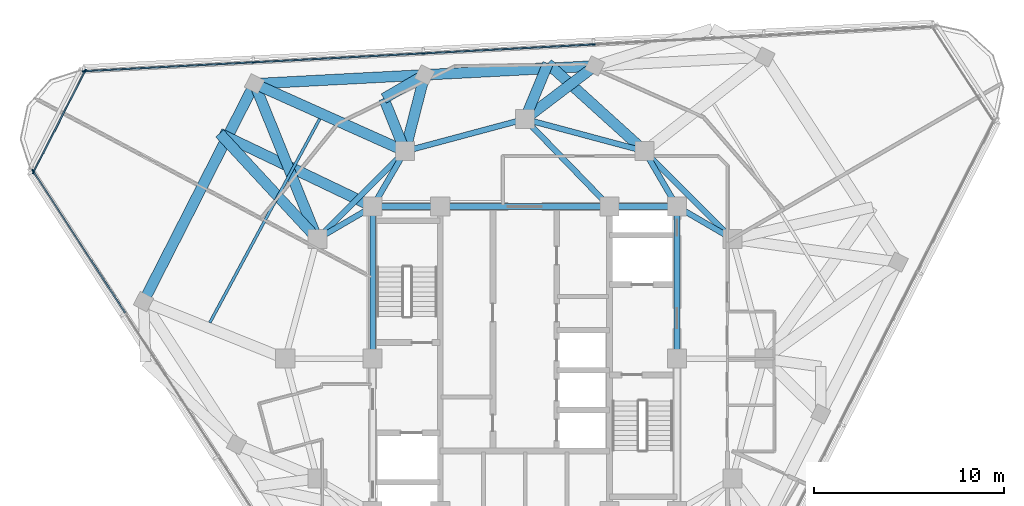
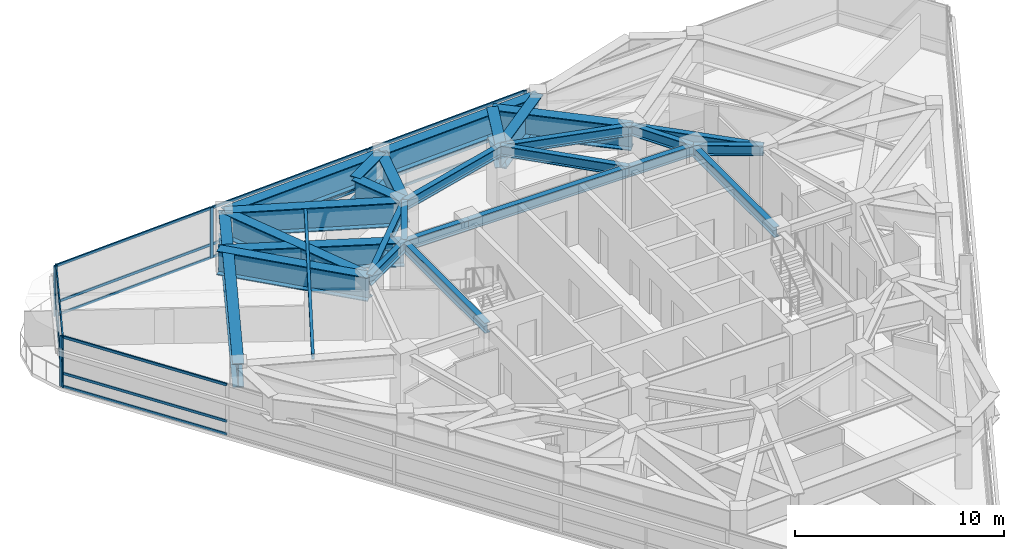
# One storey, part 5 of 15: 28 beams, 22 members, 3 elements without a shape of their own.
"""IFC4 building model written with IfcOpenShell, lengths in metres."""

from ifc_helpers import new_model, si_unit, direction, frame, origin, origin_2d, place, context, subcontext, project, spatial, rectangle, i_section, extrude, material, layer, layer_set, material_profile, profile_set, type_object, element, aggregate, save


model = new_model("IFC4")

# Units and contexts
model_context = context("Model", 3, precision=1e-05, world=origin(), true_north=direction((0.0, 1.0)))
body_context = subcontext(model_context, "Body", "Model", "MODEL_VIEW")
ifc_project = project(units=[si_unit("LENGTHUNIT", "METRE"), si_unit("AREAUNIT", "SQUARE_METRE"), si_unit("VOLUMEUNIT", "CUBIC_METRE"), si_unit("PLANEANGLEUNIT", "RADIAN"), si_unit("MASSUNIT", "GRAM", prefix="KILO")], contexts=[model_context])

# Site, building, storey
site_placement = place(None, origin())
site = spatial("IfcSite", under=ifc_project, at=site_placement, CompositionType="ELEMENT")
building_placement = place(site_placement, origin())
building = spatial("IfcBuilding", under=site, at=building_placement, Name="Terralouvre Media Tower", CompositionType="ELEMENT")
storey_placement = place(building_placement, frame((0.0, 0.0, 274.39990234375)))
storey = spatial("IfcBuildingStorey", under=building, at=storey_placement, Name="L71", CompositionType="ELEMENT", Elevation=274.39990234375)

# Beam
ifc_material_1 = material(Name="Structural steel S355J2", Category="steel")
ifc_material_profile_1 = material_profile(ifc_material_1, i_section(OverallWidth=0.14990234375, OverallDepth=0.300048828125, WebThickness=0.007080078125, FlangeThickness=0.0107421875, at=origin_2d()), Name="IPE 300")
ifc_profile_set_1 = profile_set([ifc_material_profile_1], Name="Structural steel S355J2")
beam_type_1 = type_object("IfcBeamType", Name="Composite Floor Joist J-IPE300 (IPE 300)", PredefinedType="JOIST", material=ifc_profile_set_1)
beam_1_placement = place(storey_placement, frame((-10.7861328125, 12.6171875, 3.31005859375), z_axis=(-0.474624538104, -0.88018835929, 0.0), x_axis=(0.88018835929, -0.474624538104, 0.0)))
element("IfcBeam", 1, at=beam_1_placement, inside=storey, type_object=beam_type_1, Name="L71 Framing Beam JT-L71-05", PredefinedType="JOIST", context=body_context, shape_type="SweptSolid", body=[
    extrude(i_section(OverallWidth=0.14990234375, OverallDepth=0.300048828125, WebThickness=0.007080078125, FlangeThickness=0.0107421875, at=origin_2d()), origin(), (0.0, 0.0, 1.0), 12.1787109375),
])

# Curtain wall, members
ifc_material_2 = material(Name="Low-iron laminated double glazing with solar-control coating", Category="glass")
ifc_layer_1 = layer(ifc_material_2, 0.1650390625, Name="Upper Executive Tower Curtain Wall CW-05")
ifc_layer_set_1 = layer_set([ifc_layer_1], Name="Low-iron laminated double glazing with solar-control coating")
curtain_wall_type_1 = type_object("IfcCurtainWallType", Name="Upper Executive Tower Curtain Wall CW-05", PredefinedType="NOTDEFINED", material=ifc_layer_set_1)
curtain_wall_1_placement = place(storey_placement, origin())
curtain_wall_1 = element("IfcCurtainWall", 2, at=curtain_wall_1_placement, inside=storey, type_object=curtain_wall_type_1, Name="L71 Facade Curtain Wall F1", PredefinedType="NOTDEFINED")
ifc_material_3 = material(Name="Anodised extruded aluminium 6063-T6", Category="aluminium")
ifc_material_profile_2 = material_profile(ifc_material_3, rectangle(XDim=0.074951171875, YDim=0.14990234375, at=origin_2d()), Name="ALU 75x150")
ifc_profile_set_2 = profile_set([ifc_material_profile_2], Name="Anodised extruded aluminium 6063-T6")
member_type_1 = type_object("IfcMemberType", Name="Curtain-Wall Horizontal Transom TR-150", PredefinedType="USERDEFINED", material=ifc_profile_set_2)
member_1_placement = place(storey_placement, frame((3.582763671875, 16.522705078125, 0.03759765625), z_axis=(-0.998630476572, -0.052317982208, 0.0), x_axis=(0.052317982208, -0.998630476572, 0.0)))
member_1 = element("IfcMember", 3, at=member_1_placement, type_object=member_type_1, Name="CW-05 transom 3.1", ObjectType="TRANSOM", PredefinedType="USERDEFINED", context=body_context, shape_type="SweptSolid", body=[
    extrude(rectangle(XDim=0.074951171875, YDim=0.14990234375, at=origin_2d()), origin(), (0.0, 0.0, 1.0), 8.885009765625),
])
member_2_placement = place(storey_placement, frame((3.582763671875, 16.522705078125, 0.800048828125), z_axis=(-0.998630476572, -0.052317982208, 0.0), x_axis=(0.052317982208, -0.998630476572, 0.0)))
member_2 = element("IfcMember", 4, at=member_2_placement, type_object=member_type_1, Name="CW-05 transom 3.2", ObjectType="TRANSOM", PredefinedType="USERDEFINED", context=body_context, shape_type="SweptSolid", body=[
    extrude(rectangle(XDim=0.074951171875, YDim=0.14990234375, at=origin_2d()), origin(), (0.0, 0.0, 1.0), 8.885009765625),
])
member_3_placement = place(storey_placement, frame((3.582763671875, 16.522705078125, 2.922607421875), z_axis=(-0.998630476572, -0.052317982208, 0.0), x_axis=(0.052317982208, -0.998630476572, 0.0)))
member_3 = element("IfcMember", 5, at=member_3_placement, type_object=member_type_1, Name="CW-05 transom 3.3", ObjectType="TRANSOM", PredefinedType="USERDEFINED", context=body_context, shape_type="SweptSolid", body=[
    extrude(rectangle(XDim=0.074951171875, YDim=0.14990234375, at=origin_2d()), origin(), (0.0, 0.0, 1.0), 8.885009765625),
])
member_4_placement = place(storey_placement, frame((-5.364990234375, 16.053955078125, 0.03759765625), z_axis=(-0.998629040577, -0.052345384869, 0.0), x_axis=(0.052345384869, -0.998629040577, 0.0)))
member_4 = element("IfcMember", 6, at=member_4_placement, type_object=member_type_1, Name="CW-05 transom 4.1", ObjectType="TRANSOM", PredefinedType="USERDEFINED", context=body_context, shape_type="SweptSolid", body=[
    extrude(rectangle(XDim=0.074951171875, YDim=0.14990234375, at=origin_2d()), origin(), (0.0, 0.0, 1.0), 8.885009765625),
])
member_5_placement = place(storey_placement, frame((-5.364990234375, 16.053955078125, 0.800048828125), z_axis=(-0.998629040577, -0.052345384869, 0.0), x_axis=(0.052345384869, -0.998629040577, 0.0)))
member_5 = element("IfcMember", 7, at=member_5_placement, type_object=member_type_1, Name="CW-05 transom 4.2", ObjectType="TRANSOM", PredefinedType="USERDEFINED", context=body_context, shape_type="SweptSolid", body=[
    extrude(rectangle(XDim=0.074951171875, YDim=0.14990234375, at=origin_2d()), origin(), (0.0, 0.0, 1.0), 8.885009765625),
])
member_6_placement = place(storey_placement, frame((-5.364990234375, 16.053955078125, 2.922607421875), z_axis=(-0.998629040577, -0.052345384869, 0.0), x_axis=(0.052345384869, -0.998629040577, 0.0)))
member_6 = element("IfcMember", 8, at=member_6_placement, type_object=member_type_1, Name="CW-05 transom 4.3", ObjectType="TRANSOM", PredefinedType="USERDEFINED", context=body_context, shape_type="SweptSolid", body=[
    extrude(rectangle(XDim=0.074951171875, YDim=0.14990234375, at=origin_2d()), origin(), (0.0, 0.0, 1.0), 8.885009765625),
])
member_7_placement = place(storey_placement, frame((-14.312744140625, 15.5849609375, 0.03759765625), z_axis=(-0.99862901196, -0.052345930801, 0.0), x_axis=(0.052345930801, -0.99862901196, 0.0)))
member_7 = element("IfcMember", 9, at=member_7_placement, type_object=member_type_1, Name="CW-05 transom 5.1", ObjectType="TRANSOM", PredefinedType="USERDEFINED", context=body_context, shape_type="SweptSolid", body=[
    extrude(rectangle(XDim=0.074951171875, YDim=0.14990234375, at=origin_2d()), origin(), (0.0, 0.0, 1.0), 8.84765625),
])
member_8_placement = place(storey_placement, frame((-14.312744140625, 15.5849609375, 0.800048828125), z_axis=(-0.99862901196, -0.052345930801, 0.0), x_axis=(0.052345930801, -0.99862901196, 0.0)))
member_8 = element("IfcMember", 10, at=member_8_placement, type_object=member_type_1, Name="CW-05 transom 5.2", ObjectType="TRANSOM", PredefinedType="USERDEFINED", context=body_context, shape_type="SweptSolid", body=[
    extrude(rectangle(XDim=0.074951171875, YDim=0.14990234375, at=origin_2d()), origin(), (0.0, 0.0, 1.0), 8.84765625),
])
member_9_placement = place(storey_placement, frame((-14.312744140625, 15.5849609375, 2.922607421875), z_axis=(-0.99862901196, -0.052345930801, 0.0), x_axis=(0.052345930801, -0.99862901196, 0.0)))
member_9 = element("IfcMember", 11, at=member_9_placement, type_object=member_type_1, Name="CW-05 transom 5.3", ObjectType="TRANSOM", PredefinedType="USERDEFINED", context=body_context, shape_type="SweptSolid", body=[
    extrude(rectangle(XDim=0.074951171875, YDim=0.14990234375, at=origin_2d()), origin(), (0.0, 0.0, 1.0), 8.84765625),
])

curtain_wall_2_placement = place(storey_placement, origin())
curtain_wall_2 = element("IfcCurtainWall", 12, at=curtain_wall_2_placement, inside=storey, type_object=curtain_wall_type_1, Name="L71 Facade Curtain Wall F2", PredefinedType="NOTDEFINED")
member_10_placement = place(storey_placement, frame((-25.840087890625, 9.8388671875, 0.03759765625), z_axis=(0.5446498072, -0.838663572308, 0.0), x_axis=(0.838663572308, 0.5446498072, 0.0)))
member_10 = element("IfcMember", 13, at=member_10_placement, type_object=member_type_1, Name="CW-05 transom 1.1", ObjectType="TRANSOM", PredefinedType="USERDEFINED", context=body_context, shape_type="SweptSolid", body=[
    extrude(rectangle(XDim=0.074951171875, YDim=0.14990234375, at=origin_2d()), origin(), (0.0, 0.0, 1.0), 8.84765625),
])
member_11_placement = place(storey_placement, frame((-25.840087890625, 9.8388671875, 0.800048828125), z_axis=(0.5446498072, -0.838663572308, 0.0), x_axis=(0.838663572308, 0.5446498072, 0.0)))
member_11 = element("IfcMember", 14, at=member_11_placement, type_object=member_type_1, Name="CW-05 transom 1.2", ObjectType="TRANSOM", PredefinedType="USERDEFINED", context=body_context, shape_type="SweptSolid", body=[
    extrude(rectangle(XDim=0.074951171875, YDim=0.14990234375, at=origin_2d()), origin(), (0.0, 0.0, 1.0), 8.84765625),
])
member_12_placement = place(storey_placement, frame((-25.840087890625, 9.8388671875, 2.922607421875), z_axis=(0.5446498072, -0.838663572308, 0.0), x_axis=(0.838663572308, 0.5446498072, 0.0)))
member_12 = element("IfcMember", 15, at=member_12_placement, type_object=member_type_1, Name="CW-05 transom 1.3", ObjectType="TRANSOM", PredefinedType="USERDEFINED", context=body_context, shape_type="SweptSolid", body=[
    extrude(rectangle(XDim=0.074951171875, YDim=0.14990234375, at=origin_2d()), origin(), (0.0, 0.0, 1.0), 8.84765625),
])

ifc_material_4 = material(Name="Low-iron laminated double glazing with solar-control coating", Category="glass")
ifc_layer_2 = layer(ifc_material_4, 0.1650390625, Name="Rounded Wind-Corner Curved Glazing CW-04")
ifc_layer_set_2 = layer_set([ifc_layer_2], Name="Low-iron laminated double glazing with solar-control coating")
curtain_wall_type_2 = type_object("IfcCurtainWallType", Name="Rounded Wind-Corner Curved Glazing CW-04", PredefinedType="NOTDEFINED", material=ifc_layer_set_2)
curtain_wall_3_placement = place(storey_placement, origin())
curtain_wall_3 = element("IfcCurtainWall", 16, at=curtain_wall_3_placement, inside=storey, type_object=curtain_wall_type_2, Name="L71 Rounded Wind-Corner Curtain Wall C2", PredefinedType="NOTDEFINED")
member_13_placement = place(storey_placement, frame((-23.138671875, 15.107421875, 0.03759765625), z_axis=(-0.453989495794, -0.891007035724, 0.0), x_axis=(0.891007035724, -0.453989495794, 0.0)))
member_13 = element("IfcMember", 17, at=member_13_placement, type_object=member_type_1, Name="CW-04 transom 1.1", ObjectType="TRANSOM", PredefinedType="USERDEFINED", context=body_context, shape_type="SweptSolid", body=[
    extrude(rectangle(XDim=0.074951171875, YDim=0.14990234375, at=origin_2d()), origin(), (0.0, 0.0, 1.0), 5.912109375),
])
member_14_placement = place(storey_placement, frame((-23.138671875, 15.107421875, 0.800048828125), z_axis=(-0.453989495794, -0.891007035724, 0.0), x_axis=(0.891007035724, -0.453989495794, 0.0)))
member_14 = element("IfcMember", 18, at=member_14_placement, type_object=member_type_1, Name="CW-04 transom 1.2", ObjectType="TRANSOM", PredefinedType="USERDEFINED", context=body_context, shape_type="SweptSolid", body=[
    extrude(rectangle(XDim=0.074951171875, YDim=0.14990234375, at=origin_2d()), origin(), (0.0, 0.0, 1.0), 5.912109375),
])
member_15_placement = place(storey_placement, frame((-23.138671875, 15.107421875, 2.922607421875), z_axis=(-0.453989495794, -0.891007035724, 0.0), x_axis=(0.891007035724, -0.453989495794, 0.0)))
member_15 = element("IfcMember", 19, at=member_15_placement, type_object=member_type_1, Name="CW-04 transom 1.3", ObjectType="TRANSOM", PredefinedType="USERDEFINED", context=body_context, shape_type="SweptSolid", body=[
    extrude(rectangle(XDim=0.074951171875, YDim=0.14990234375, at=origin_2d()), origin(), (0.0, 0.0, 1.0), 5.912109375),
])

# Member
ifc_material_5 = material(Name="Anodised extruded aluminium 6063-T6", Category="aluminium")
ifc_material_profile_3 = material_profile(ifc_material_5, rectangle(XDim=0.074951171875, YDim=0.179931640625, at=origin_2d()), Name="ALU 75x180")
ifc_profile_set_3 = profile_set([ifc_material_profile_3], Name="Anodised extruded aluminium 6063-T6")
member_type_2 = type_object("IfcMemberType", Name="Curtain-Wall Vertical Mullion ML-180", PredefinedType="MULLION", material=ifc_profile_set_3)
member_16_placement = place(storey_placement, frame((3.6201171875, 16.524658203125, 0.0), z_axis=(0.0, 0.0, 1.0), x_axis=(0.052336163844, -0.998629523875, 0.0)))
member_16 = element("IfcMember", 20, at=member_16_placement, type_object=member_type_2, Name="CW-05 mullion 3", PredefinedType="MULLION", context=body_context, shape_type="SweptSolid", body=[
    extrude(rectangle(XDim=0.074951171875, YDim=0.179931640625, at=origin_2d()), origin(), (0.0, 0.0, 1.0), 2.960205078125),
])

member_17_placement = place(storey_placement, frame((-5.32763671875, 16.055908203125, 0.0), z_axis=(0.0, 0.0, 1.0), x_axis=(0.052336163844, -0.998629523875, 0.0)))
member_17 = element("IfcMember", 21, at=member_17_placement, type_object=member_type_2, Name="CW-05 mullion 4", PredefinedType="MULLION", context=body_context, shape_type="SweptSolid", body=[
    extrude(rectangle(XDim=0.074951171875, YDim=0.179931640625, at=origin_2d()), origin(), (0.0, 0.0, 1.0), 2.960205078125),
])

member_18_placement = place(storey_placement, frame((-14.275390625, 15.5869140625, 0.0), z_axis=(0.0, 0.0, 1.0), x_axis=(0.052336163844, -0.998629523875, 0.0)))
member_18 = element("IfcMember", 22, at=member_18_placement, type_object=member_type_2, Name="CW-05 mullion 5", PredefinedType="MULLION", context=body_context, shape_type="SweptSolid", body=[
    extrude(rectangle(XDim=0.074951171875, YDim=0.179931640625, at=origin_2d()), origin(), (0.0, 0.0, 1.0), 2.960205078125),
])

member_19_placement = place(storey_placement, frame((-23.185546875, 15.119873046875, 0.0), z_axis=(0.0, 0.0, 1.0), x_axis=(0.052336163844, -0.998629523875, 0.0)))
member_19 = element("IfcMember", 23, at=member_19_placement, type_object=member_type_2, Name="CW-05 mullion 6", PredefinedType="MULLION", context=body_context, shape_type="SweptSolid", body=[
    extrude(rectangle(XDim=0.074951171875, YDim=0.179931640625, at=origin_2d()), origin(), (0.0, 0.0, 1.0), 2.960205078125),
])

aggregate(curtain_wall_1, [member_16, member_17, member_18, member_19, member_1, member_2, member_3, member_4, member_5, member_6, member_7, member_8, member_9])

member_20_placement = place(storey_placement, frame((-25.8603515625, 9.870361328125, 0.0), z_axis=(0.0, 0.0, 1.0), x_axis=(0.838670545826, 0.544639069077, 0.0)))
member_20 = element("IfcMember", 24, at=member_20_placement, type_object=member_type_2, Name="CW-05 mullion 1", PredefinedType="MULLION", context=body_context, shape_type="SweptSolid", body=[
    extrude(rectangle(XDim=0.074951171875, YDim=0.179931640625, at=origin_2d()), origin(), (0.0, 0.0, 1.0), 2.960205078125),
])

aggregate(curtain_wall_2, [member_20, member_10, member_11, member_12])

member_21_placement = place(storey_placement, frame((-23.12158203125, 15.140869140625, 0.0), z_axis=(0.0, 0.0, 1.0), x_axis=(0.891006600517, -0.453990349937, 0.0)))
member_21 = element("IfcMember", 25, at=member_21_placement, type_object=member_type_2, Name="CW-04 mullion 1", PredefinedType="MULLION", context=body_context, shape_type="SweptSolid", body=[
    extrude(rectangle(XDim=0.074951171875, YDim=0.179931640625, at=origin_2d()), origin(), (0.0, 0.0, 1.0), 2.960205078125),
])

member_22_placement = place(storey_placement, frame((-25.83984375, 9.80615234375, 0.0), z_axis=(0.0, 0.0, 1.0), x_axis=(0.891006600517, -0.453990349937, 0.0)))
member_22 = element("IfcMember", 26, at=member_22_placement, type_object=member_type_2, Name="CW-04 mullion 2", PredefinedType="MULLION", context=body_context, shape_type="SweptSolid", body=[
    extrude(rectangle(XDim=0.074951171875, YDim=0.179931640625, at=origin_2d()), origin(), (0.0, 0.0, 1.0), 2.960205078125),
])

aggregate(curtain_wall_3, [member_21, member_22, member_13, member_14, member_15])

# Beams
ifc_material_6 = material(Name="Structural steel S460M", Category="steel")
ifc_material_profile_4 = material_profile(ifc_material_6, i_section(OverallWidth=0.300048828125, OverallDepth=0.60009765625, WebThickness=0.015380859375, FlangeThickness=0.030029296875, at=origin_2d()), Name="HEB 600")
ifc_profile_set_4 = profile_set([ifc_material_profile_4], Name="Structural steel S460M")
beam_type_2 = type_object("IfcBeamType", Name="Primary Floor Girder B-HEB600 (HEB 600)", PredefinedType="BEAM", material=ifc_profile_set_4)
beam_2_placement = place(storey_placement, frame((8.0, 0.0, 3.16015625), z_axis=(0.0, 1.0, 0.0), x_axis=(-1.0, 0.0, 0.0)))
element("IfcBeam", 27, at=beam_2_placement, inside=storey, type_object=beam_type_2, Name="L71 Framing Beam BM-L71-CPR05", PredefinedType="BEAM", context=body_context, shape_type="SweptSolid", body=[
    extrude(i_section(OverallWidth=0.300048828125, OverallDepth=0.60009765625, WebThickness=0.015380859375, FlangeThickness=0.030029296875, at=origin_2d()), origin(), (0.0, 0.0, 1.0), 8.0),
])
beam_3_placement = place(storey_placement, frame((8.0, 8.0, 3.16015625), z_axis=(-1.0, 0.0, 0.0), x_axis=(0.0, -1.0, 0.0)))
element("IfcBeam", 28, at=beam_3_placement, inside=storey, type_object=beam_type_2, Name="L71 Framing Beam BM-L71-CPR06", PredefinedType="BEAM", context=body_context, shape_type="SweptSolid", body=[
    extrude(i_section(OverallWidth=0.300048828125, OverallDepth=0.60009765625, WebThickness=0.015380859375, FlangeThickness=0.030029296875, at=origin_2d()), origin(), (0.0, 0.0, 1.0), 3.550048828125),
])
beam_4_placement = place(storey_placement, frame((4.449951171875, 8.0, 3.16015625), z_axis=(-1.0, 0.0, 0.0), x_axis=(0.0, -1.0, 0.0)))
element("IfcBeam", 29, at=beam_4_placement, inside=storey, type_object=beam_type_2, Name="L71 Framing Beam BM-L71-CPR07", PredefinedType="BEAM", context=body_context, shape_type="SweptSolid", body=[
    extrude(i_section(OverallWidth=0.300048828125, OverallDepth=0.60009765625, WebThickness=0.015380859375, FlangeThickness=0.030029296875, at=origin_2d()), origin(), (0.0, 0.0, 1.0), 8.89990234375),
])
beam_5_placement = place(storey_placement, frame((-4.449951171875, 8.0, 3.16015625), z_axis=(-1.0, 0.0, 0.0), x_axis=(0.0, -1.0, 0.0)))
element("IfcBeam", 30, at=beam_5_placement, inside=storey, type_object=beam_type_2, Name="L71 Framing Beam BM-L71-CPR08", PredefinedType="BEAM", context=body_context, shape_type="SweptSolid", body=[
    extrude(i_section(OverallWidth=0.300048828125, OverallDepth=0.60009765625, WebThickness=0.015380859375, FlangeThickness=0.030029296875, at=origin_2d()), origin(), (0.0, 0.0, 1.0), 3.550048828125),
])
beam_6_placement = place(storey_placement, frame((-8.0, 8.0, 3.16015625), z_axis=(0.0, -1.0, 0.0), x_axis=(1.0, 0.0, 0.0)))
element("IfcBeam", 31, at=beam_6_placement, inside=storey, type_object=beam_type_2, Name="L71 Framing Beam BM-L71-CPR09", PredefinedType="BEAM", context=body_context, shape_type="SweptSolid", body=[
    extrude(i_section(OverallWidth=0.300048828125, OverallDepth=0.60009765625, WebThickness=0.015380859375, FlangeThickness=0.030029296875, at=origin_2d()), origin(), (0.0, 0.0, 1.0), 8.0),
])
beam_7_placement = place(storey_placement, frame((10.911865234375, 6.300048828125, 3.16015625), z_axis=(-0.707106781187, 0.707106781187, 0.0), x_axis=(-0.707106781187, -0.707106781187, 0.0)))
element("IfcBeam", 32, at=beam_7_placement, inside=storey, type_object=beam_type_2, Name="L71 Framing Beam BM-L71-MR07", PredefinedType="BEAM", context=body_context, shape_type="SweptSolid", body=[
    extrude(i_section(OverallWidth=0.300048828125, OverallDepth=0.60009765625, WebThickness=0.015380859375, FlangeThickness=0.030029296875, at=origin_2d()), origin(), (0.0, 0.0, 1.0), 6.52197265625),
])
for number, where, z_axis, x_axis, name in (
    (33, (6.300048828125, 10.911865234375, 3.16015625), (-0.965920481897, 0.258838989821, 0.0), (-0.258838989821, -0.965920481897, 0.0), "L71 Framing Beam BM-L71-MR08"),
    (34, (0.0, 12.60009765625, 3.16015625), (-0.965920481897, -0.258838989821, 0.0), (0.258838989821, -0.965920481897, 0.0), "L71 Framing Beam BM-L71-MR09"),
):
    element("IfcBeam", number, at=place(storey_placement, frame(where, z_axis=z_axis, x_axis=x_axis)), inside=storey, type_object=beam_type_2, Name=name, PredefinedType="BEAM", context=body_context, shape_type="SweptSolid", body=[
        extrude(i_section(OverallWidth=0.300048828125, OverallDepth=0.60009765625, WebThickness=0.015380859375, FlangeThickness=0.030029296875, at=origin_2d()), origin(), (0.0, 0.0, 1.0), 6.522216796875),
    ])
beam_8_placement = place(storey_placement, frame((-6.300048828125, 10.911865234375, 3.16015625), z_axis=(-0.707106781187, -0.707106781187, 0.0), x_axis=(0.707106781187, -0.707106781187, 0.0)))
element("IfcBeam", 35, at=beam_8_placement, inside=storey, type_object=beam_type_2, Name="L71 Framing Beam BM-L71-MR10", PredefinedType="BEAM", context=body_context, shape_type="SweptSolid", body=[
    extrude(i_section(OverallWidth=0.300048828125, OverallDepth=0.60009765625, WebThickness=0.015380859375, FlangeThickness=0.030029296875, at=origin_2d()), origin(), (0.0, 0.0, 1.0), 6.52197265625),
])
for number, where, z_axis, x_axis, name in (
    (36, (8.0, 8.0, 3.16015625), (0.863602894532, -0.504172629717, 0.0), (0.504172629717, 0.863602894532, 0.0), "L71 Framing Beam BM-L71-CM07"),
    (37, (8.0, 8.0, 3.16015625), (-0.504172629717, 0.863602894532, 0.0), (-0.863602894532, -0.504172629717, 0.0), "L71 Framing Beam BM-L71-CM08"),
):
    element("IfcBeam", number, at=place(storey_placement, frame(where, z_axis=z_axis, x_axis=x_axis)), inside=storey, type_object=beam_type_2, Name=name, PredefinedType="BEAM", context=body_context, shape_type="SweptSolid", body=[
        extrude(i_section(OverallWidth=0.300048828125, OverallDepth=0.60009765625, WebThickness=0.015380859375, FlangeThickness=0.030029296875, at=origin_2d()), origin(), (0.0, 0.0, 1.0), 3.371826171875),
    ])
beam_9_placement = place(storey_placement, frame((4.449951171875, 8.0, 3.16015625), z_axis=(-0.695279715726, 0.718739255155, 0.0), x_axis=(-0.718739255155, -0.695279715726, 0.0)))
element("IfcBeam", 38, at=beam_9_placement, inside=storey, type_object=beam_type_2, Name="L71 Framing Beam BM-L71-CM09", PredefinedType="BEAM", context=body_context, shape_type="SweptSolid", body=[
    extrude(i_section(OverallWidth=0.300048828125, OverallDepth=0.60009765625, WebThickness=0.015380859375, FlangeThickness=0.030029296875, at=origin_2d()), origin(), (0.0, 0.0, 1.0), 6.400146484375),
])
for number, where, z_axis, x_axis, name in (
    (39, (-8.0, 8.0, 3.16015625), (0.504172629717, 0.863602894532, 0.0), (-0.863602894532, 0.504172629717, 0.0), "L71 Framing Beam BM-L71-CM10"),
    (40, (-8.0, 8.0, 3.16015625), (-0.863602894532, -0.504172629717, 0.0), (0.504172629717, -0.863602894532, 0.0), "L71 Framing Beam BM-L71-CM11"),
):
    element("IfcBeam", number, at=place(storey_placement, frame(where, z_axis=z_axis, x_axis=x_axis)), inside=storey, type_object=beam_type_2, Name=name, PredefinedType="BEAM", context=body_context, shape_type="SweptSolid", body=[
        extrude(i_section(OverallWidth=0.300048828125, OverallDepth=0.60009765625, WebThickness=0.015380859375, FlangeThickness=0.030029296875, at=origin_2d()), origin(), (0.0, 0.0, 1.0), 3.371826171875),
    ])
ifc_material_7 = material(Name="Structural steel S460M", Category="steel")
ifc_material_profile_5 = material_profile(ifc_material_7, i_section(OverallWidth=0.56005859375, OverallDepth=1.39990234375, WebThickness=0.031982421875, FlangeThickness=0.050048828125, at=origin_2d()), Name="TG 1400x560")
ifc_profile_set_5 = profile_set([ifc_material_profile_5], Name="Structural steel S460M")
beam_type_3 = type_object("IfcBeamType", Name="Welded Transfer Girder TG-1400 (TG 1400x560)", PredefinedType="USERDEFINED", material=ifc_profile_set_5)
for number, where, z_axis, x_axis, name in (
    (41, (3.67919921875, 15.396240234375, 2.760009765625), (-0.998630595649, -0.05231570924, 0.0), (0.05231570924, -0.998630595649, 0.0), "L71 Framing Beam BM-L71-PR09"),
    (42, (-5.2685546875, 14.927490234375, 2.760009765625), (-0.998629171747, -0.052342882372, 0.0), (0.052342882372, -0.998629171747, 0.0), "L71 Framing Beam BM-L71-PR10"),
):
    element("IfcBeam", number, at=place(storey_placement, frame(where, z_axis=z_axis, x_axis=x_axis)), inside=storey, type_object=beam_type_3, Name=name, ObjectType="TRANSFER GIRDER", PredefinedType="USERDEFINED", context=body_context, shape_type="SweptSolid", body=[
        extrude(i_section(OverallWidth=0.56005859375, OverallDepth=1.39990234375, WebThickness=0.031982421875, FlangeThickness=0.050048828125, at=origin_2d()), origin(), (0.0, 0.0, 1.0), 8.9599609375),
    ])
beam_10_placement = place(storey_placement, frame((-14.21630859375, 14.45849609375, 2.760009765625), z_axis=(-0.453983525005, -0.891010077958, 0.0), x_axis=(0.891010077958, -0.453983525005, 0.0)))
element("IfcBeam", 43, at=beam_10_placement, inside=storey, type_object=beam_type_3, Name="L71 Framing Beam BM-L71-PR11", ObjectType="TRANSFER GIRDER", PredefinedType="USERDEFINED", context=body_context, shape_type="SweptSolid", body=[
    extrude(i_section(OverallWidth=0.56005859375, OverallDepth=1.39990234375, WebThickness=0.031982421875, FlangeThickness=0.050048828125, at=origin_2d()), origin(), (0.0, 0.0, 1.0), 12.857177734375),
])
beam_11_placement = place(storey_placement, frame((0.0, 12.60009765625, 2.760009765625), z_axis=(0.796167284329, 0.605076569836, 0.0), x_axis=(-0.605076569836, 0.796167284329, 0.0)))
element("IfcBeam", 44, at=beam_11_placement, inside=storey, type_object=beam_type_3, Name="L71 Framing Beam BM-L71-RD09", ObjectType="TRANSFER GIRDER", PredefinedType="USERDEFINED", context=body_context, shape_type="SweptSolid", body=[
    extrude(i_section(OverallWidth=0.56005859375, OverallDepth=1.39990234375, WebThickness=0.031982421875, FlangeThickness=0.050048828125, at=origin_2d()), origin(), (0.0, 0.0, 1.0), 4.62109375),
])
beam_12_placement = place(storey_placement, frame((-6.300048828125, 10.911865234375, 2.760009765625), z_axis=(0.248793268672, 0.968556611388, 0.0), x_axis=(-0.968556611388, 0.248793268672, 0.0)))
element("IfcBeam", 45, at=beam_12_placement, inside=storey, type_object=beam_type_3, Name="L71 Framing Beam BM-L71-RD10", ObjectType="TRANSFER GIRDER", PredefinedType="USERDEFINED", context=body_context, shape_type="SweptSolid", body=[
    extrude(i_section(OverallWidth=0.56005859375, OverallDepth=1.39990234375, WebThickness=0.031982421875, FlangeThickness=0.050048828125, at=origin_2d()), origin(), (0.0, 0.0, 1.0), 4.14599609375),
])
beam_13_placement = place(storey_placement, frame((-6.300048828125, 10.911865234375, 2.760009765625), z_axis=(-0.912596970607, 0.408860329746, 0.0), x_axis=(-0.408860329746, -0.912596970607, 0.0)))
element("IfcBeam", 46, at=beam_13_placement, inside=storey, type_object=beam_type_3, Name="L71 Framing Beam BM-L71-RD11", ObjectType="TRANSFER GIRDER", PredefinedType="USERDEFINED", context=body_context, shape_type="SweptSolid", body=[
    extrude(i_section(OverallWidth=0.56005859375, OverallDepth=1.39990234375, WebThickness=0.031982421875, FlangeThickness=0.050048828125, at=origin_2d()), origin(), (0.0, 0.0, 1.0), 8.67431640625),
])
beam_14_placement = place(storey_placement, frame((1.212158203125, 15.517578125, 2.760009765625), z_axis=(-0.383682372078, -0.923465125143, 0.0), x_axis=(0.923465125143, -0.383682372078, 0.0)))
element("IfcBeam", 47, at=beam_14_placement, inside=storey, type_object=beam_type_3, Name="L71 Framing Beam BM-L71-TR06S1", ObjectType="TRANSFER GIRDER", PredefinedType="USERDEFINED", context=body_context, shape_type="SweptSolid", body=[
    extrude(i_section(OverallWidth=0.56005859375, OverallDepth=1.39990234375, WebThickness=0.031982421875, FlangeThickness=0.050048828125, at=origin_2d()), origin(), (0.0, 0.0, 1.0), 3.1591796875),
])
beam_15_placement = place(storey_placement, frame((1.212158203125, 15.517578125, 2.760009765625), z_axis=(0.741362985355, -0.671104257136, 0.0), x_axis=(0.671104257136, 0.741362985355, 0.0)))
element("IfcBeam", 48, at=beam_15_placement, inside=storey, type_object=beam_type_3, Name="L71 Framing Beam BM-L71-TR06S2", ObjectType="TRANSFER GIRDER", PredefinedType="USERDEFINED", context=body_context, shape_type="SweptSolid", body=[
    extrude(i_section(OverallWidth=0.56005859375, OverallDepth=1.39990234375, WebThickness=0.031982421875, FlangeThickness=0.050048828125, at=origin_2d()), origin(), (0.0, 0.0, 1.0), 6.86279296875),
])
beam_16_placement = place(storey_placement, frame((-7.4189453125, 13.682861328125, 2.760009765625), z_axis=(0.865484583981, 0.50093555962, 0.0), x_axis=(-0.50093555962, 0.865484583981, 0.0)))
element("IfcBeam", 49, at=beam_16_placement, inside=storey, type_object=beam_type_3, Name="L71 Framing Beam BM-L71-TR07S1", ObjectType="TRANSFER GIRDER", PredefinedType="USERDEFINED", context=body_context, shape_type="SweptSolid", body=[
    extrude(i_section(OverallWidth=0.56005859375, OverallDepth=1.39990234375, WebThickness=0.031982421875, FlangeThickness=0.050048828125, at=origin_2d()), origin(), (0.0, 0.0, 1.0), 2.484619140625),
])
beam_17_placement = place(storey_placement, frame((-7.4189453125, 13.682861328125, 2.760009765625), z_axis=(0.374417122208, -0.927260383386, 0.0), x_axis=(0.927260383386, 0.374417122208, 0.0)))
element("IfcBeam", 50, at=beam_17_placement, inside=storey, type_object=beam_type_3, Name="L71 Framing Beam BM-L71-TR07S2", ObjectType="TRANSFER GIRDER", PredefinedType="USERDEFINED", context=body_context, shape_type="SweptSolid", body=[
    extrude(i_section(OverallWidth=0.56005859375, OverallDepth=1.39990234375, WebThickness=0.031982421875, FlangeThickness=0.050048828125, at=origin_2d()), origin(), (0.0, 0.0, 1.0), 2.98828125),
])
beam_18_placement = place(storey_placement, frame((-14.21630859375, 14.45849609375, 2.760009765625), z_axis=(0.375408935568, -0.92685928333, 0.0), x_axis=(0.92685928333, 0.375408935568, 0.0)))
element("IfcBeam", 51, at=beam_18_placement, inside=storey, type_object=beam_type_3, Name="L71 Framing Beam BM-L71-TRC08", ObjectType="TRANSFER GIRDER", PredefinedType="USERDEFINED", context=body_context, shape_type="SweptSolid", body=[
    extrude(i_section(OverallWidth=0.56005859375, OverallDepth=1.39990234375, WebThickness=0.031982421875, FlangeThickness=0.050048828125, at=origin_2d()), origin(), (0.0, 0.0, 1.0), 8.80224609375),
])
beam_19_placement = place(storey_placement, frame((-16.050048828125, 11.84814453125, 2.760009765625), z_axis=(0.679483353105, -0.733690924609, 0.0), x_axis=(0.733690924609, 0.679483353105, 0.0)))
element("IfcBeam", 52, at=beam_19_placement, inside=storey, type_object=beam_type_3, Name="L71 Framing Beam BM-L71-TR08S1", ObjectType="TRANSFER GIRDER", PredefinedType="USERDEFINED", context=body_context, shape_type="SweptSolid", body=[
    extrude(i_section(OverallWidth=0.56005859375, OverallDepth=1.39990234375, WebThickness=0.031982421875, FlangeThickness=0.050048828125, at=origin_2d()), origin(), (0.0, 0.0, 1.0), 7.56201171875),
])
beam_20_placement = place(storey_placement, frame((-16.050048828125, 11.84814453125, 2.760009765625), z_axis=(0.902216165884, -0.43128411751, 0.0), x_axis=(0.43128411751, 0.902216165884, 0.0)))
element("IfcBeam", 53, at=beam_20_placement, inside=storey, type_object=beam_type_3, Name="L71 Framing Beam BM-L71-TR08S2", ObjectType="TRANSFER GIRDER", PredefinedType="USERDEFINED", context=body_context, shape_type="SweptSolid", body=[
    extrude(i_section(OverallWidth=0.56005859375, OverallDepth=1.39990234375, WebThickness=0.031982421875, FlangeThickness=0.050048828125, at=origin_2d()), origin(), (0.0, 0.0, 1.0), 8.922607421875),
])

save(model, "model.ifc")
